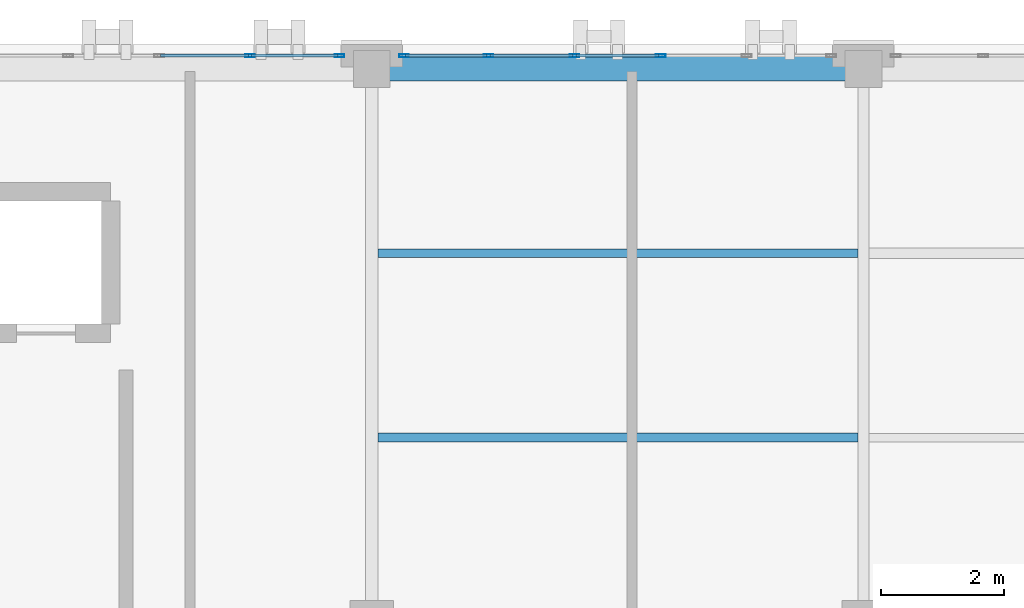
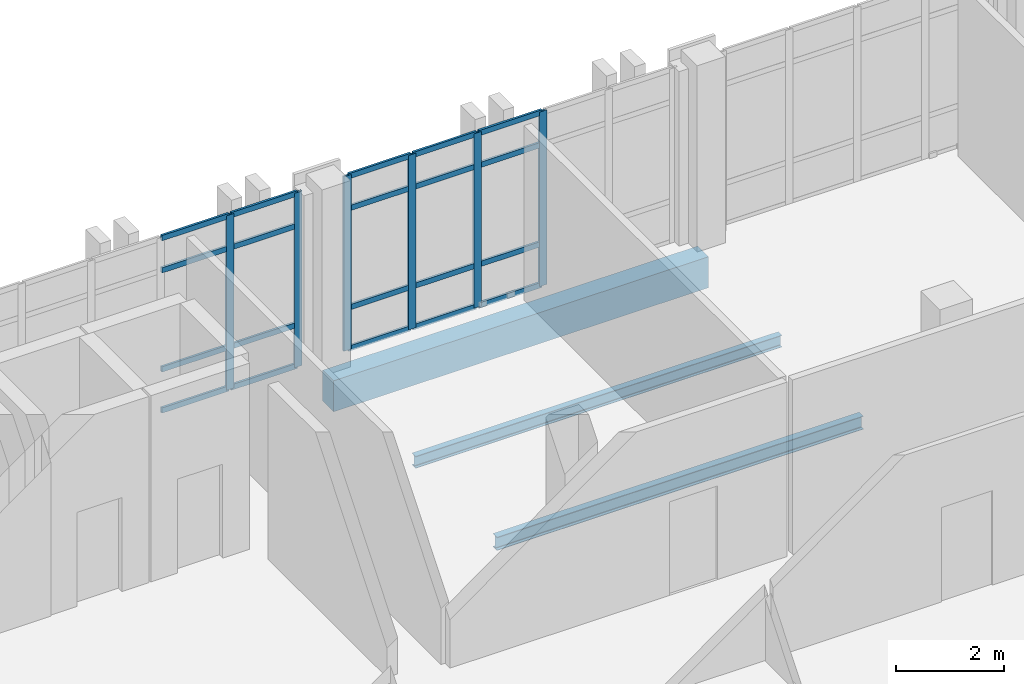
# One storey, part 48 of 77: 26 members, 3 beams, 2 elements without a shape of their own.
"""IFC4 building model written with IfcOpenShell, lengths in metres."""

from ifc_helpers import new_model, si_unit, direction, frame, origin, origin_2d, place, context, subcontext, project, spatial, rectangle, hollow_rectangle, i_section, extrude, material, layer, layer_set, material_profile, profile_set, type_object, element, aggregate, save


model = new_model("IFC4")

# Units and contexts
model_context = context("Model", 3, precision=1e-05, world=origin(), true_north=direction((0.0, 1.0)))
body_context = subcontext(model_context, "Body", "Model", "MODEL_VIEW")
ifc_project = project(units=[si_unit("LENGTHUNIT", "METRE"), si_unit("AREAUNIT", "SQUARE_METRE"), si_unit("VOLUMEUNIT", "CUBIC_METRE"), si_unit("PLANEANGLEUNIT", "RADIAN"), si_unit("MASSUNIT", "GRAM", prefix="KILO")], contexts=[model_context])

# Site, building, storey
site_placement = place(None, origin())
site = spatial("IfcSite", under=ifc_project, at=site_placement, CompositionType="ELEMENT")
building_placement = place(site_placement, origin())
building = spatial("IfcBuilding", under=site, at=building_placement, Name="Qalavern Law Courts", CompositionType="ELEMENT")
storey_placement = place(building_placement, frame((0.0, 0.0, 27.0)))
storey = spatial("IfcBuildingStorey", under=building, at=storey_placement, Name="L06", CompositionType="ELEMENT", Elevation=27.0)

# Curtain wall, members
ifc_material_1 = material(Name="Anodised aluminium and insulated glazing", Category="aluminium")
ifc_layer = layer(ifc_material_1, 0.166015625)
ifc_layer_set = layer_set([ifc_layer], Name="Anodised aluminium and insulated glazing")
curtain_wall_type = type_object("IfcCurtainWallType", Name="ENV-CW-LIB", PredefinedType="USERDEFINED", material=ifc_layer_set)
curtain_wall_1_placement = place(storey_placement, origin())
curtain_wall_1 = element("IfcCurtainWall", 1, at=curtain_wall_1_placement, inside=storey, type_object=curtain_wall_type, Name="V5 unitised curtain wall L06 north 3", ObjectType="UNITISED CURTAIN WALL", PredefinedType="USERDEFINED")
ifc_material_2 = material(Name="Anodised aluminium", Category="aluminium")
ifc_material_profile_1 = material_profile(ifc_material_2, hollow_rectangle(XDim=0.048095703125, YDim=0.159912109375, WallThickness=0.00390625, at=origin_2d()), Name="ALU MULLION 48x160")
ifc_profile_set_1 = profile_set([ifc_material_profile_1], Name="Anodised aluminium")
member_type_1 = type_object("IfcMemberType", Name="ENV-CWM-48x160", PredefinedType="MULLION", material=ifc_profile_set_1)
member_1_placement = place(storey_placement, frame((41.5, 112.81494140625, 0.0), z_axis=(0.0, 0.0, 1.0), x_axis=(0.0, -1.0, 0.0)))
member_1 = element("IfcMember", 2, at=member_1_placement, type_object=member_type_1, Name="CW-05 mullion 3", PredefinedType="MULLION", context=body_context, shape_type="SweptSolid", body=[
    extrude(hollow_rectangle(XDim=0.048095703125, YDim=0.159912109375, WallThickness=0.00390625, at=origin_2d()), origin(), (0.0, 0.0, 1.0), 3.93505859375),
])
member_2_placement = place(storey_placement, frame((40.10009765625, 112.81494140625, 0.0), z_axis=(0.0, 0.0, 1.0), x_axis=(0.0, -1.0, 0.0)))
member_2 = element("IfcMember", 3, at=member_2_placement, type_object=member_type_1, Name="CW-05 mullion 4", PredefinedType="MULLION", context=body_context, shape_type="SweptSolid", body=[
    extrude(hollow_rectangle(XDim=0.048095703125, YDim=0.159912109375, WallThickness=0.00390625, at=origin_2d()), origin(), (0.0, 0.0, 1.0), 3.93505859375),
])
member_3_placement = place(storey_placement, frame((38.699951171875, 112.81494140625, 0.0), z_axis=(0.0, 0.0, 1.0), x_axis=(0.0, -1.0, 0.0)))
member_3 = element("IfcMember", 4, at=member_3_placement, type_object=member_type_1, Name="CW-05 mullion 5", PredefinedType="MULLION", context=body_context, shape_type="SweptSolid", body=[
    extrude(hollow_rectangle(XDim=0.048095703125, YDim=0.159912109375, WallThickness=0.00390625, at=origin_2d()), origin(), (0.0, 0.0, 1.0), 3.93505859375),
])
member_4_placement = place(storey_placement, frame((37.323974609375, 112.81494140625, 0.0), z_axis=(0.0, 0.0, 1.0), x_axis=(0.0, -1.0, 0.0)))
member_4 = element("IfcMember", 5, at=member_4_placement, type_object=member_type_1, Name="CW-05 mullion 6", PredefinedType="MULLION", context=body_context, shape_type="SweptSolid", body=[
    extrude(hollow_rectangle(XDim=0.048095703125, YDim=0.159912109375, WallThickness=0.00390625, at=origin_2d()), origin(), (0.0, 0.0, 1.0), 3.93505859375),
])

curtain_wall_2_placement = place(storey_placement, origin())
curtain_wall_2 = element("IfcCurtainWall", 6, at=curtain_wall_2_placement, inside=storey, type_object=curtain_wall_type, Name="V5 unitised curtain wall L06 north 4", ObjectType="UNITISED CURTAIN WALL", PredefinedType="USERDEFINED")
member_5_placement = place(storey_placement, frame((36.27587890625, 112.81494140625, 0.0), z_axis=(0.0, 0.0, 1.0), x_axis=(0.0, -1.0, 0.0)))
member_5 = element("IfcMember", 7, at=member_5_placement, type_object=member_type_1, Name="CW-05 mullion 1", PredefinedType="MULLION", context=body_context, shape_type="SweptSolid", body=[
    extrude(hollow_rectangle(XDim=0.048095703125, YDim=0.159912109375, WallThickness=0.00390625, at=origin_2d()), origin(), (0.0, 0.0, 1.0), 3.93505859375),
])
member_6_placement = place(storey_placement, frame((34.820068359375, 112.81494140625, 0.0), z_axis=(0.0, 0.0, 1.0), x_axis=(0.0, -1.0, 0.0)))
member_6 = element("IfcMember", 8, at=member_6_placement, type_object=member_type_1, Name="CW-05 mullion 2", PredefinedType="MULLION", context=body_context, shape_type="SweptSolid", body=[
    extrude(hollow_rectangle(XDim=0.048095703125, YDim=0.159912109375, WallThickness=0.00390625, at=origin_2d()), origin(), (0.0, 0.0, 1.0), 3.93505859375),
])

# Member
ifc_material_profile_2 = material_profile(ifc_material_2, hollow_rectangle(XDim=0.048095703125, YDim=0.1201171875, WallThickness=0.00390625, at=origin_2d()), Name="ALU TRANSOM 48x120")
ifc_profile_set_2 = profile_set([ifc_material_profile_2], Name="Anodised aluminium")
member_type_2 = type_object("IfcMemberType", Name="ENV-CWT-48x120", PredefinedType="USERDEFINED", material=ifc_profile_set_2)
member_7_placement = place(storey_placement, frame((41.47607421875, 112.81494140625, 0.02392578125), z_axis=(-1.0, 0.0, 0.0), x_axis=(0.0, -1.0, 0.0)))
member_7 = element("IfcMember", 9, at=member_7_placement, type_object=member_type_2, Name="CW-05 transom 3.1", ObjectType="TRANSOM", PredefinedType="USERDEFINED", context=body_context, shape_type="SweptSolid", body=[
    extrude(hollow_rectangle(XDim=0.048095703125, YDim=0.1201171875, WallThickness=0.00390625, at=origin_2d()), origin(), (0.0, 0.0, 1.0), 1.35205078125),
])

member_8_placement = place(storey_placement, frame((41.47607421875, 112.81494140625, 0.949951171875), z_axis=(-1.0, 0.0, 0.0), x_axis=(0.0, -1.0, 0.0)))
member_8 = element("IfcMember", 10, at=member_8_placement, type_object=member_type_2, Name="CW-05 transom 3.2", ObjectType="TRANSOM", PredefinedType="USERDEFINED", context=body_context, shape_type="SweptSolid", body=[
    extrude(hollow_rectangle(XDim=0.048095703125, YDim=0.1201171875, WallThickness=0.00390625, at=origin_2d()), origin(), (0.0, 0.0, 1.0), 1.35205078125),
])

member_9_placement = place(storey_placement, frame((41.47607421875, 112.81494140625, 3.18505859375), z_axis=(-1.0, 0.0, 0.0), x_axis=(0.0, -1.0, 0.0)))
member_9 = element("IfcMember", 11, at=member_9_placement, type_object=member_type_2, Name="CW-05 transom 3.3", ObjectType="TRANSOM", PredefinedType="USERDEFINED", context=body_context, shape_type="SweptSolid", body=[
    extrude(hollow_rectangle(XDim=0.048095703125, YDim=0.1201171875, WallThickness=0.00390625, at=origin_2d()), origin(), (0.0, 0.0, 1.0), 1.35205078125),
])

member_10_placement = place(storey_placement, frame((41.47607421875, 112.81494140625, 3.910888671875), z_axis=(-1.0, 0.0, 0.0), x_axis=(0.0, -1.0, 0.0)))
member_10 = element("IfcMember", 12, at=member_10_placement, type_object=member_type_2, Name="CW-05 transom 3.4", ObjectType="TRANSOM", PredefinedType="USERDEFINED", context=body_context, shape_type="SweptSolid", body=[
    extrude(hollow_rectangle(XDim=0.048095703125, YDim=0.1201171875, WallThickness=0.00390625, at=origin_2d()), origin(), (0.0, 0.0, 1.0), 1.35205078125),
])

member_11_placement = place(storey_placement, frame((40.075927734375, 112.81494140625, 0.02392578125), z_axis=(-1.0, 0.0, 0.0), x_axis=(0.0, -1.0, 0.0)))
member_11 = element("IfcMember", 13, at=member_11_placement, type_object=member_type_2, Name="CW-05 transom 4.1", ObjectType="TRANSOM", PredefinedType="USERDEFINED", context=body_context, shape_type="SweptSolid", body=[
    extrude(hollow_rectangle(XDim=0.048095703125, YDim=0.1201171875, WallThickness=0.00390625, at=origin_2d()), origin(), (0.0, 0.0, 1.0), 1.351806640625),
])

member_12_placement = place(storey_placement, frame((40.075927734375, 112.81494140625, 0.949951171875), z_axis=(-1.0, 0.0, 0.0), x_axis=(0.0, -1.0, 0.0)))
member_12 = element("IfcMember", 14, at=member_12_placement, type_object=member_type_2, Name="CW-05 transom 4.2", ObjectType="TRANSOM", PredefinedType="USERDEFINED", context=body_context, shape_type="SweptSolid", body=[
    extrude(hollow_rectangle(XDim=0.048095703125, YDim=0.1201171875, WallThickness=0.00390625, at=origin_2d()), origin(), (0.0, 0.0, 1.0), 1.351806640625),
])

member_13_placement = place(storey_placement, frame((40.075927734375, 112.81494140625, 3.18505859375), z_axis=(-1.0, 0.0, 0.0), x_axis=(0.0, -1.0, 0.0)))
member_13 = element("IfcMember", 15, at=member_13_placement, type_object=member_type_2, Name="CW-05 transom 4.3", ObjectType="TRANSOM", PredefinedType="USERDEFINED", context=body_context, shape_type="SweptSolid", body=[
    extrude(hollow_rectangle(XDim=0.048095703125, YDim=0.1201171875, WallThickness=0.00390625, at=origin_2d()), origin(), (0.0, 0.0, 1.0), 1.351806640625),
])

member_14_placement = place(storey_placement, frame((40.075927734375, 112.81494140625, 3.910888671875), z_axis=(-1.0, 0.0, 0.0), x_axis=(0.0, -1.0, 0.0)))
member_14 = element("IfcMember", 16, at=member_14_placement, type_object=member_type_2, Name="CW-05 transom 4.4", ObjectType="TRANSOM", PredefinedType="USERDEFINED", context=body_context, shape_type="SweptSolid", body=[
    extrude(hollow_rectangle(XDim=0.048095703125, YDim=0.1201171875, WallThickness=0.00390625, at=origin_2d()), origin(), (0.0, 0.0, 1.0), 1.351806640625),
])

member_15_placement = place(storey_placement, frame((38.676025390625, 112.81494140625, 0.02392578125), z_axis=(-1.0, 0.0, 0.0), x_axis=(0.0, -1.0, 0.0)))
member_15 = element("IfcMember", 17, at=member_15_placement, type_object=member_type_2, Name="CW-05 transom 5.1", ObjectType="TRANSOM", PredefinedType="USERDEFINED", context=body_context, shape_type="SweptSolid", body=[
    extrude(hollow_rectangle(XDim=0.048095703125, YDim=0.1201171875, WallThickness=0.00390625, at=origin_2d()), origin(), (0.0, 0.0, 1.0), 1.328125),
])

member_16_placement = place(storey_placement, frame((38.676025390625, 112.81494140625, 0.949951171875), z_axis=(-1.0, 0.0, 0.0), x_axis=(0.0, -1.0, 0.0)))
member_16 = element("IfcMember", 18, at=member_16_placement, type_object=member_type_2, Name="CW-05 transom 5.2", ObjectType="TRANSOM", PredefinedType="USERDEFINED", context=body_context, shape_type="SweptSolid", body=[
    extrude(hollow_rectangle(XDim=0.048095703125, YDim=0.1201171875, WallThickness=0.00390625, at=origin_2d()), origin(), (0.0, 0.0, 1.0), 1.328125),
])

member_17_placement = place(storey_placement, frame((38.676025390625, 112.81494140625, 3.18505859375), z_axis=(-1.0, 0.0, 0.0), x_axis=(0.0, -1.0, 0.0)))
member_17 = element("IfcMember", 19, at=member_17_placement, type_object=member_type_2, Name="CW-05 transom 5.3", ObjectType="TRANSOM", PredefinedType="USERDEFINED", context=body_context, shape_type="SweptSolid", body=[
    extrude(hollow_rectangle(XDim=0.048095703125, YDim=0.1201171875, WallThickness=0.00390625, at=origin_2d()), origin(), (0.0, 0.0, 1.0), 1.328125),
])

member_18_placement = place(storey_placement, frame((38.676025390625, 112.81494140625, 3.910888671875), z_axis=(-1.0, 0.0, 0.0), x_axis=(0.0, -1.0, 0.0)))
member_18 = element("IfcMember", 20, at=member_18_placement, type_object=member_type_2, Name="CW-05 transom 5.4", ObjectType="TRANSOM", PredefinedType="USERDEFINED", context=body_context, shape_type="SweptSolid", body=[
    extrude(hollow_rectangle(XDim=0.048095703125, YDim=0.1201171875, WallThickness=0.00390625, at=origin_2d()), origin(), (0.0, 0.0, 1.0), 1.328125),
])

aggregate(curtain_wall_1, [member_1, member_2, member_3, member_4, member_7, member_8, member_9, member_10, member_11, member_12, member_13, member_14, member_15, member_16, member_17, member_18])

member_19_placement = place(storey_placement, frame((36.251953125, 112.81494140625, 0.02392578125), z_axis=(-1.0, 0.0, 0.0), x_axis=(0.0, -1.0, 0.0)))
member_19 = element("IfcMember", 21, at=member_19_placement, type_object=member_type_2, Name="CW-05 transom 1.1", ObjectType="TRANSOM", PredefinedType="USERDEFINED", context=body_context, shape_type="SweptSolid", body=[
    extrude(hollow_rectangle(XDim=0.048095703125, YDim=0.1201171875, WallThickness=0.00390625, at=origin_2d()), origin(), (0.0, 0.0, 1.0), 1.407958984375),
])

member_20_placement = place(storey_placement, frame((36.251953125, 112.81494140625, 0.949951171875), z_axis=(-1.0, 0.0, 0.0), x_axis=(0.0, -1.0, 0.0)))
member_20 = element("IfcMember", 22, at=member_20_placement, type_object=member_type_2, Name="CW-05 transom 1.2", ObjectType="TRANSOM", PredefinedType="USERDEFINED", context=body_context, shape_type="SweptSolid", body=[
    extrude(hollow_rectangle(XDim=0.048095703125, YDim=0.1201171875, WallThickness=0.00390625, at=origin_2d()), origin(), (0.0, 0.0, 1.0), 1.407958984375),
])

member_21_placement = place(storey_placement, frame((36.251953125, 112.81494140625, 3.18505859375), z_axis=(-1.0, 0.0, 0.0), x_axis=(0.0, -1.0, 0.0)))
member_21 = element("IfcMember", 23, at=member_21_placement, type_object=member_type_2, Name="CW-05 transom 1.3", ObjectType="TRANSOM", PredefinedType="USERDEFINED", context=body_context, shape_type="SweptSolid", body=[
    extrude(hollow_rectangle(XDim=0.048095703125, YDim=0.1201171875, WallThickness=0.00390625, at=origin_2d()), origin(), (0.0, 0.0, 1.0), 1.407958984375),
])

member_22_placement = place(storey_placement, frame((36.251953125, 112.81494140625, 3.910888671875), z_axis=(-1.0, 0.0, 0.0), x_axis=(0.0, -1.0, 0.0)))
member_22 = element("IfcMember", 24, at=member_22_placement, type_object=member_type_2, Name="CW-05 transom 1.4", ObjectType="TRANSOM", PredefinedType="USERDEFINED", context=body_context, shape_type="SweptSolid", body=[
    extrude(hollow_rectangle(XDim=0.048095703125, YDim=0.1201171875, WallThickness=0.00390625, at=origin_2d()), origin(), (0.0, 0.0, 1.0), 1.407958984375),
])

member_23_placement = place(storey_placement, frame((34.7958984375, 112.81494140625, 0.02392578125), z_axis=(-1.0, 0.0, 0.0), x_axis=(0.0, -1.0, 0.0)))
member_23 = element("IfcMember", 25, at=member_23_placement, type_object=member_type_2, Name="CW-05 transom 2.1", ObjectType="TRANSOM", PredefinedType="USERDEFINED", context=body_context, shape_type="SweptSolid", body=[
    extrude(hollow_rectangle(XDim=0.048095703125, YDim=0.1201171875, WallThickness=0.00390625, at=origin_2d()), origin(), (0.0, 0.0, 1.0), 1.431884765625),
])

member_24_placement = place(storey_placement, frame((34.7958984375, 112.81494140625, 0.949951171875), z_axis=(-1.0, 0.0, 0.0), x_axis=(0.0, -1.0, 0.0)))
member_24 = element("IfcMember", 26, at=member_24_placement, type_object=member_type_2, Name="CW-05 transom 2.2", ObjectType="TRANSOM", PredefinedType="USERDEFINED", context=body_context, shape_type="SweptSolid", body=[
    extrude(hollow_rectangle(XDim=0.048095703125, YDim=0.1201171875, WallThickness=0.00390625, at=origin_2d()), origin(), (0.0, 0.0, 1.0), 1.431884765625),
])

member_25_placement = place(storey_placement, frame((34.7958984375, 112.81494140625, 3.18505859375), z_axis=(-1.0, 0.0, 0.0), x_axis=(0.0, -1.0, 0.0)))
member_25 = element("IfcMember", 27, at=member_25_placement, type_object=member_type_2, Name="CW-05 transom 2.3", ObjectType="TRANSOM", PredefinedType="USERDEFINED", context=body_context, shape_type="SweptSolid", body=[
    extrude(hollow_rectangle(XDim=0.048095703125, YDim=0.1201171875, WallThickness=0.00390625, at=origin_2d()), origin(), (0.0, 0.0, 1.0), 1.431884765625),
])

member_26_placement = place(storey_placement, frame((34.7958984375, 112.81494140625, 3.910888671875), z_axis=(-1.0, 0.0, 0.0), x_axis=(0.0, -1.0, 0.0)))
member_26 = element("IfcMember", 28, at=member_26_placement, type_object=member_type_2, Name="CW-05 transom 2.4", ObjectType="TRANSOM", PredefinedType="USERDEFINED", context=body_context, shape_type="SweptSolid", body=[
    extrude(hollow_rectangle(XDim=0.048095703125, YDim=0.1201171875, WallThickness=0.00390625, at=origin_2d()), origin(), (0.0, 0.0, 1.0), 1.431884765625),
])

aggregate(curtain_wall_2, [member_5, member_6, member_19, member_20, member_21, member_22, member_23, member_24, member_25, member_26])

# Beams
ifc_material_3 = material(Name="Steel S355", Category="steel")
ifc_material_profile_3 = material_profile(ifc_material_3, i_section(OverallWidth=0.135009765625, OverallDepth=0.27001953125, WebThickness=0.006591796875, FlangeThickness=0.01025390625, FilletRadius=0.014892578125, at=origin_2d()), Name="IPE 270")
ifc_profile_set_3 = profile_set([ifc_material_profile_3], Name="Steel S355")
beam_type_1 = type_object("IfcBeamType", Name="STR-JST-IPE270", PredefinedType="JOIST", material=ifc_profile_set_3)
beam_1_placement = place(storey_placement, frame((36.89794921875, 109.60009765625, -0.405029296875), z_axis=(1.0, 0.0, 0.0), x_axis=(0.0, 1.0, 0.0)))
element("IfcBeam", 29, at=beam_1_placement, inside=storey, type_object=beam_type_1, Name="V5 secondary joist 2.2.2 L06", PredefinedType="JOIST", context=body_context, shape_type="SweptSolid", body=[
    extrude(i_section(OverallWidth=0.135009765625, OverallDepth=0.27001953125, WebThickness=0.006591796875, FlangeThickness=0.01025390625, FilletRadius=0.014892578125, at=origin_2d()), origin(), (0.0, 0.0, 1.0), 7.81396484375),
])
ifc_material_profile_4 = material_profile(ifc_material_3, i_section(OverallWidth=0.14990234375, OverallDepth=0.300048828125, WebThickness=0.007080078125, FlangeThickness=0.0107421875, FilletRadius=0.014892578125, at=origin_2d()), Name="IPE 300")
ifc_profile_set_4 = profile_set([ifc_material_profile_4], Name="Steel S355")
beam_type_2 = type_object("IfcBeamType", Name="STR-JST-IPE300", PredefinedType="JOIST", material=ifc_profile_set_4)
beam_2_placement = place(storey_placement, frame((36.89794921875, 106.60009765625, -0.419921875), z_axis=(1.0, 0.0, 0.0), x_axis=(0.0, 1.0, 0.0)))
element("IfcBeam", 30, at=beam_2_placement, inside=storey, type_object=beam_type_2, Name="V5 secondary joist 2.2.1 L06", PredefinedType="JOIST", context=body_context, shape_type="SweptSolid", body=[
    extrude(i_section(OverallWidth=0.14990234375, OverallDepth=0.300048828125, WebThickness=0.007080078125, FlangeThickness=0.0107421875, FilletRadius=0.014892578125, at=origin_2d()), origin(), (0.0, 0.0, 1.0), 7.81396484375),
])
ifc_material_4 = material(Name="Concrete C40/50", Category="concrete")
ifc_material_profile_5 = material_profile(ifc_material_4, rectangle(XDim=0.39990234375, YDim=0.699951171875, at=origin_2d()), Name="RC 400x700")
ifc_profile_set_5 = profile_set([ifc_material_profile_5], Name="Concrete C40/50")
beam_type_3 = type_object("IfcBeamType", Name="STR-SP-RC400x700", PredefinedType="SPANDREL", material=ifc_profile_set_5)
beam_3_placement = place(storey_placement, frame((36.800048828125, 112.60009765625, -0.6201171875), z_axis=(1.0, 0.0, 0.0), x_axis=(0.0, 1.0, 0.0)))
element("IfcBeam", 31, at=beam_3_placement, inside=storey, type_object=beam_type_3, Name="V5 X-beam 3-2 L06", PredefinedType="SPANDREL", context=body_context, shape_type="SweptSolid", body=[
    extrude(rectangle(XDim=0.39990234375, YDim=0.699951171875, at=origin_2d()), origin(), (0.0, 0.0, 1.0), 8.0),
])

save(model, "model.ifc")
